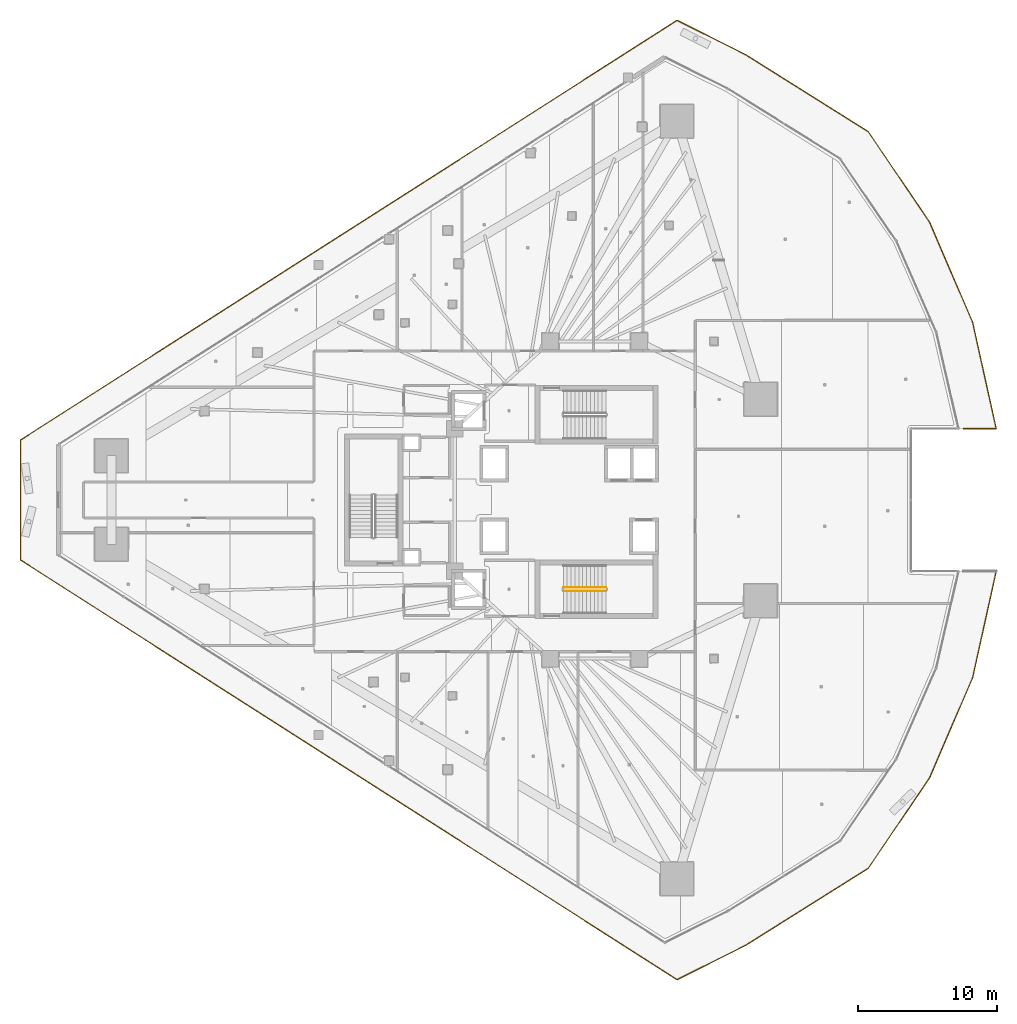
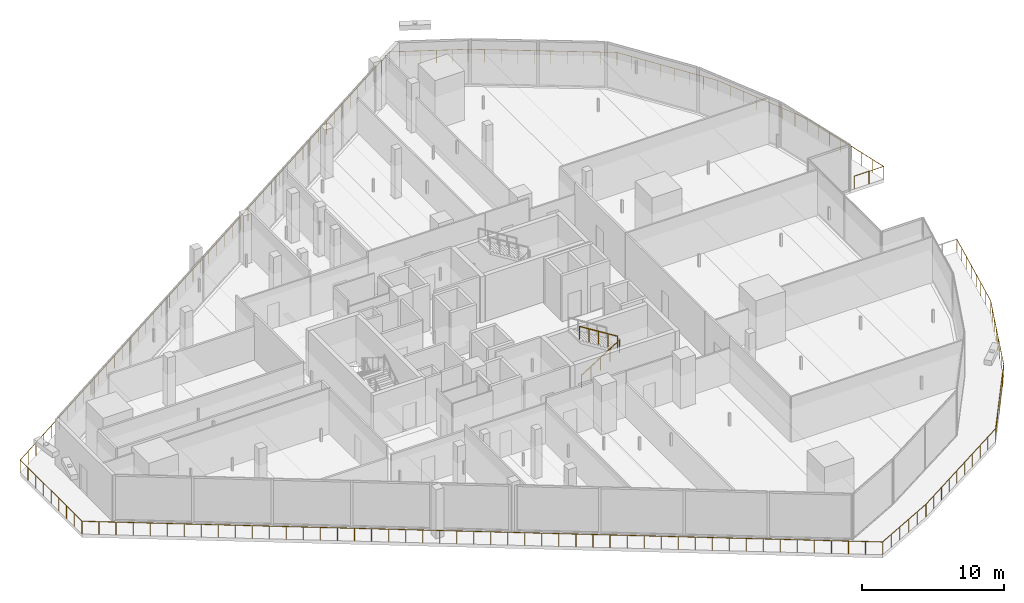
# One storey, part 42 of 46: 3 railings.
"""IFC4 building model written with IfcOpenShell, lengths in metres."""

from ifc_helpers import new_model, si_unit, direction, frame, origin, origin_2d, place, context, subcontext, project, spatial, circle, extrude, material, type_object, element, save


model = new_model("IFC4")

# Units and contexts
model_context = context("Model", 3, precision=1e-05, world=origin(), true_north=direction((0.0, 1.0)))
body_context = subcontext(model_context, "Body", "Model", "MODEL_VIEW")
ifc_project = project(units=[si_unit("LENGTHUNIT", "METRE"), si_unit("AREAUNIT", "SQUARE_METRE"), si_unit("VOLUMEUNIT", "CUBIC_METRE"), si_unit("PLANEANGLEUNIT", "RADIAN"), si_unit("MASSUNIT", "GRAM", prefix="KILO")], contexts=[model_context])

# Site, building, storey
site_placement = place(None, origin())
site = spatial("IfcSite", under=ifc_project, at=site_placement, CompositionType="ELEMENT")
building_placement = place(site_placement, origin())
building = spatial("IfcBuilding", under=site, at=building_placement, Name="Qorvath Tower", CompositionType="ELEMENT")
storey_placement = place(building_placement, frame((0.0, 0.0, 87.0)))
storey = spatial("IfcBuildingStorey", under=building, at=storey_placement, Name="L19", CompositionType="ELEMENT", Elevation=87.0)

# Railings
ifc_material_1 = material(Name="Laminated safety glass and stainless steel AISI 316", Category="steel")
railing_type_1 = type_object("IfcRailingType", Name="RL-EXT-GRD", PredefinedType="GUARDRAIL", material=ifc_material_1)
railing_1_placement = place(storey_placement, frame((8.577392578125, -5.140869140625, 0.0)))
element("IfcRailing", 1, at=railing_1_placement, inside=storey, type_object=railing_type_1, Name="Loggia Perimeter Guardrail L19-1.1", PredefinedType="GUARDRAIL", context=body_context, shape_type="SweptSolid", body=[
    extrude(circle(Radius=0.02392578125, at=origin_2d()), frame((0.0, 0.0, 1.09619140625), z_axis=(-0.216102863676, -0.976370601929, 0.0), x_axis=(0.976370601929, -0.216102863676, 0.0)), (0.0, 0.0, 1.0), 7.8720703125),
    extrude(circle(Radius=0.02392578125, at=origin_2d()), frame((-1.701171875, -7.68603515625, 1.09619140625), z_axis=(-0.395475792028, -0.918476400306, 0.0), x_axis=(0.918476400306, -0.395475792028, 0.0)), (0.0, 0.0, 1.0), 7.872314453125),
    extrude(circle(Radius=0.02392578125, at=origin_2d()), frame((-4.814453125, -14.91650390625, 1.09619140625), z_axis=(-0.560825516193, -0.827934019344, 0.0), x_axis=(0.827934019344, -0.560825516193, 0.0)), (0.0, 0.0, 1.0), 7.872314453125),
    extrude(circle(Radius=0.02392578125, at=origin_2d()), frame((-9.2294921875, -21.434326171875, 1.09619140625), z_axis=(-0.846502624732, -0.532384547411, 0.0), x_axis=(0.532384547411, -0.846502624732, 0.0)), (0.0, 0.0, 1.0), 10.468505859375),
    extrude(circle(Radius=0.02392578125, at=origin_2d()), frame((-18.091064453125, -27.007568359375, 1.09619140625), z_axis=(-0.894427191, -0.4472135955, 0.0), x_axis=(0.4472135955, -0.894427191, 0.0)), (0.0, 0.0, 1.0), 5.529541015625),
    extrude(circle(Radius=0.02392578125, at=origin_2d()), frame((-23.036865234375, -29.48046875, 1.09619140625), z_axis=(-0.84260457515, 0.538532756605, 0.0), x_axis=(-0.538532756605, -0.84260457515, 0.0)), (0.0, 0.0, 1.0), 56.252197265625),
    extrude(circle(Radius=0.02392578125, at=origin_2d()), frame((-70.435302734375, 0.813232421875, 1.09619140625), z_axis=(0.0, 1.0, 0.0), x_axis=(-1.0, 0.0, 0.0)), (0.0, 0.0, 1.0), 8.6552734375),
    extrude(circle(Radius=0.02392578125, at=origin_2d()), frame((-70.435302734375, 9.468505859375, 1.09619140625), z_axis=(0.84260457515, 0.538532756605, 0.0), x_axis=(-0.538532756605, 0.84260457515, 0.0)), (0.0, 0.0, 1.0), 56.252197265625),
    extrude(circle(Radius=0.02392578125, at=origin_2d()), frame((-23.036865234375, 39.76220703125, 1.09619140625), z_axis=(0.894427191, -0.4472135955, 0.0), x_axis=(0.4472135955, 0.894427191, 0.0)), (0.0, 0.0, 1.0), 5.529541015625),
    extrude(circle(Radius=0.02392578125, at=origin_2d()), frame((-18.091064453125, 37.289306640625, 1.09619140625), z_axis=(0.846502624732, -0.532384547411, 0.0), x_axis=(0.532384547411, 0.846502624732, 0.0)), (0.0, 0.0, 1.0), 10.468505859375),
    extrude(circle(Radius=0.02392578125, at=origin_2d()), frame((-9.2294921875, 31.716064453125, 1.09619140625), z_axis=(0.560825516193, -0.827934019344, 0.0), x_axis=(0.827934019344, 0.560825516193, 0.0)), (0.0, 0.0, 1.0), 7.872314453125),
    extrude(circle(Radius=0.02392578125, at=origin_2d()), frame((-4.814453125, 25.1982421875, 1.09619140625), z_axis=(0.395475792028, -0.918476400306, 0.0), x_axis=(0.918476400306, 0.395475792028, 0.0)), (0.0, 0.0, 1.0), 7.872314453125),
    extrude(circle(Radius=0.02392578125, at=origin_2d()), frame((-1.701171875, 17.9677734375, 1.09619140625), z_axis=(0.216102863676, -0.976370601929, 0.0), x_axis=(0.976370601929, 0.216102863676, 0.0)), (0.0, 0.0, 1.0), 7.8720703125),
    extrude(circle(Radius=0.02392578125, at=origin_2d()), frame((0.0, 10.28173828125, 1.09619140625), z_axis=(-1.0, 0.0, 0.0), x_axis=(0.0, -1.0, 0.0)), (0.0, 0.0, 1.0), 2.366455078125),
    extrude(circle(Radius=0.02099609375, at=origin_2d()), origin(), (0.0, 0.0, 1.0), 1.072021484375),
    extrude(circle(Radius=0.02099609375, at=origin_2d()), frame((-0.242919921875, -1.097900390625, 0.0)), (0.0, 0.0, 1.0), 1.072021484375),
    extrude(circle(Radius=0.02099609375, at=origin_2d()), frame((-0.486083984375, -2.196044921875, 0.0)), (0.0, 0.0, 1.0), 1.072021484375),
    extrude(circle(Radius=0.02099609375, at=origin_2d()), frame((-0.72900390625, -3.2939453125, 0.0)), (0.0, 0.0, 1.0), 1.072021484375),
    extrude(circle(Radius=0.02099609375, at=origin_2d()), frame((-0.97216796875, -4.39208984375, 0.0)), (0.0, 0.0, 1.0), 1.072021484375),
    extrude(circle(Radius=0.02099609375, at=origin_2d()), frame((-1.215087890625, -5.489990234375, 0.0)), (0.0, 0.0, 1.0), 1.072021484375),
    extrude(circle(Radius=0.02099609375, at=origin_2d()), frame((-1.458251953125, -6.588134765625, 0.0)), (0.0, 0.0, 1.0), 1.072021484375),
    extrude(circle(Radius=0.02099609375, at=origin_2d()), frame((-1.701171875, -7.68603515625, 0.0)), (0.0, 0.0, 1.0), 1.072021484375),
    extrude(circle(Radius=0.02099609375, at=origin_2d()), frame((-2.14599609375, -8.718994140625, 0.0)), (0.0, 0.0, 1.0), 1.072021484375),
    extrude(circle(Radius=0.02099609375, at=origin_2d()), frame((-2.590576171875, -9.751953125, 0.0)), (0.0, 0.0, 1.0), 1.072021484375),
    extrude(circle(Radius=0.02099609375, at=origin_2d()), frame((-3.035400390625, -10.784912109375, 0.0)), (0.0, 0.0, 1.0), 1.072021484375),
    extrude(circle(Radius=0.02099609375, at=origin_2d()), frame((-3.480224609375, -11.817626953125, 0.0)), (0.0, 0.0, 1.0), 1.072021484375),
    extrude(circle(Radius=0.02099609375, at=origin_2d()), frame((-3.925048828125, -12.8505859375, 0.0)), (0.0, 0.0, 1.0), 1.072021484375),
    extrude(circle(Radius=0.02099609375, at=origin_2d()), frame((-4.36962890625, -13.883544921875, 0.0)), (0.0, 0.0, 1.0), 1.072021484375),
    extrude(circle(Radius=0.02099609375, at=origin_2d()), frame((-4.814453125, -14.91650390625, 0.0)), (0.0, 0.0, 1.0), 1.072021484375),
    extrude(circle(Radius=0.02099609375, at=origin_2d()), frame((-5.445068359375, -15.84765625, 0.0)), (0.0, 0.0, 1.0), 1.072021484375),
    extrude(circle(Radius=0.02099609375, at=origin_2d()), frame((-6.075927734375, -16.77880859375, 0.0)), (0.0, 0.0, 1.0), 1.072021484375),
    extrude(circle(Radius=0.02099609375, at=origin_2d()), frame((-6.70654296875, -17.7099609375, 0.0)), (0.0, 0.0, 1.0), 1.072021484375),
    extrude(circle(Radius=0.02099609375, at=origin_2d()), frame((-7.33740234375, -18.640869140625, 0.0)), (0.0, 0.0, 1.0), 1.072021484375),
    extrude(circle(Radius=0.02099609375, at=origin_2d()), frame((-7.968017578125, -19.572021484375, 0.0)), (0.0, 0.0, 1.0), 1.072021484375),
    extrude(circle(Radius=0.02099609375, at=origin_2d()), frame((-8.598876953125, -20.503173828125, 0.0)), (0.0, 0.0, 1.0), 1.072021484375),
    extrude(circle(Radius=0.02099609375, at=origin_2d()), frame((-9.2294921875, -21.434326171875, 0.0)), (0.0, 0.0, 1.0), 1.072021484375),
    extrude(circle(Radius=0.02099609375, at=origin_2d()), frame((-10.214111328125, -22.053466796875, 0.0)), (0.0, 0.0, 1.0), 1.072021484375),
    extrude(circle(Radius=0.02099609375, at=origin_2d()), frame((-11.19873046875, -22.6728515625, 0.0)), (0.0, 0.0, 1.0), 1.072021484375),
    extrude(circle(Radius=0.02099609375, at=origin_2d()), frame((-12.183349609375, -23.2919921875, 0.0)), (0.0, 0.0, 1.0), 1.072021484375),
    extrude(circle(Radius=0.02099609375, at=origin_2d()), frame((-13.16796875, -23.911376953125, 0.0)), (0.0, 0.0, 1.0), 1.072021484375),
    extrude(circle(Radius=0.02099609375, at=origin_2d()), frame((-14.152587890625, -24.530517578125, 0.0)), (0.0, 0.0, 1.0), 1.072021484375),
    extrude(circle(Radius=0.02099609375, at=origin_2d()), frame((-15.13720703125, -25.14990234375, 0.0)), (0.0, 0.0, 1.0), 1.072021484375),
    extrude(circle(Radius=0.02099609375, at=origin_2d()), frame((-16.121826171875, -25.76904296875, 0.0)), (0.0, 0.0, 1.0), 1.072021484375),
    extrude(circle(Radius=0.02099609375, at=origin_2d()), frame((-17.1064453125, -26.388427734375, 0.0)), (0.0, 0.0, 1.0), 1.072021484375),
    extrude(circle(Radius=0.02099609375, at=origin_2d()), frame((-18.091064453125, -27.007568359375, 0.0)), (0.0, 0.0, 1.0), 1.072021484375),
    extrude(circle(Radius=0.02099609375, at=origin_2d()), frame((-19.080322265625, -27.502197265625, 0.0)), (0.0, 0.0, 1.0), 1.072021484375),
    extrude(circle(Radius=0.02099609375, at=origin_2d()), frame((-20.0693359375, -27.996826171875, 0.0)), (0.0, 0.0, 1.0), 1.072021484375),
    extrude(circle(Radius=0.02099609375, at=origin_2d()), frame((-21.05859375, -28.4912109375, 0.0)), (0.0, 0.0, 1.0), 1.072021484375),
    extrude(circle(Radius=0.02099609375, at=origin_2d()), frame((-22.047607421875, -28.98583984375, 0.0)), (0.0, 0.0, 1.0), 1.072021484375),
    extrude(circle(Radius=0.02099609375, at=origin_2d()), frame((-23.036865234375, -29.48046875, 0.0)), (0.0, 0.0, 1.0), 1.072021484375),
    extrude(circle(Radius=0.02099609375, at=origin_2d()), frame((-24.04541015625, -28.8359375, 0.0)), (0.0, 0.0, 1.0), 1.072021484375),
    extrude(circle(Radius=0.02099609375, at=origin_2d()), frame((-25.0537109375, -28.19140625, 0.0)), (0.0, 0.0, 1.0), 1.072021484375),
    extrude(circle(Radius=0.02099609375, at=origin_2d()), frame((-26.062255859375, -27.546875, 0.0)), (0.0, 0.0, 1.0), 1.072021484375),
    extrude(circle(Radius=0.02099609375, at=origin_2d()), frame((-27.07080078125, -26.90234375, 0.0)), (0.0, 0.0, 1.0), 1.072021484375),
    extrude(circle(Radius=0.02099609375, at=origin_2d()), frame((-28.079345703125, -26.2578125, 0.0)), (0.0, 0.0, 1.0), 1.072021484375),
    extrude(circle(Radius=0.02099609375, at=origin_2d()), frame((-29.087646484375, -25.61328125, 0.0)), (0.0, 0.0, 1.0), 1.072021484375),
    extrude(circle(Radius=0.02099609375, at=origin_2d()), frame((-30.09619140625, -24.96875, 0.0)), (0.0, 0.0, 1.0), 1.072021484375),
    extrude(circle(Radius=0.02099609375, at=origin_2d()), frame((-31.104736328125, -24.323974609375, 0.0)), (0.0, 0.0, 1.0), 1.072021484375),
    extrude(circle(Radius=0.02099609375, at=origin_2d()), frame((-32.11328125, -23.679443359375, 0.0)), (0.0, 0.0, 1.0), 1.072021484375),
    extrude(circle(Radius=0.02099609375, at=origin_2d()), frame((-33.12158203125, -23.034912109375, 0.0)), (0.0, 0.0, 1.0), 1.072021484375),
    extrude(circle(Radius=0.02099609375, at=origin_2d()), frame((-34.130126953125, -22.390380859375, 0.0)), (0.0, 0.0, 1.0), 1.072021484375),
    extrude(circle(Radius=0.02099609375, at=origin_2d()), frame((-35.138671875, -21.745849609375, 0.0)), (0.0, 0.0, 1.0), 1.072021484375),
    extrude(circle(Radius=0.02099609375, at=origin_2d()), frame((-36.14697265625, -21.101318359375, 0.0)), (0.0, 0.0, 1.0), 1.072021484375),
    extrude(circle(Radius=0.02099609375, at=origin_2d()), frame((-37.155517578125, -20.456787109375, 0.0)), (0.0, 0.0, 1.0), 1.072021484375),
    extrude(circle(Radius=0.02099609375, at=origin_2d()), frame((-38.1640625, -19.812255859375, 0.0)), (0.0, 0.0, 1.0), 1.072021484375),
    extrude(circle(Radius=0.02099609375, at=origin_2d()), frame((-39.172607421875, -19.167724609375, 0.0)), (0.0, 0.0, 1.0), 1.072021484375),
    extrude(circle(Radius=0.02099609375, at=origin_2d()), frame((-40.180908203125, -18.523193359375, 0.0)), (0.0, 0.0, 1.0), 1.072021484375),
    extrude(circle(Radius=0.02099609375, at=origin_2d()), frame((-41.189453125, -17.878662109375, 0.0)), (0.0, 0.0, 1.0), 1.072021484375),
    extrude(circle(Radius=0.02099609375, at=origin_2d()), frame((-42.197998046875, -17.234130859375, 0.0)), (0.0, 0.0, 1.0), 1.072021484375),
    extrude(circle(Radius=0.02099609375, at=origin_2d()), frame((-43.206298828125, -16.589599609375, 0.0)), (0.0, 0.0, 1.0), 1.072021484375),
    extrude(circle(Radius=0.02099609375, at=origin_2d()), frame((-44.21484375, -15.945068359375, 0.0)), (0.0, 0.0, 1.0), 1.072021484375),
    extrude(circle(Radius=0.02099609375, at=origin_2d()), frame((-45.223388671875, -15.300537109375, 0.0)), (0.0, 0.0, 1.0), 1.072021484375),
    extrude(circle(Radius=0.02099609375, at=origin_2d()), frame((-46.23193359375, -14.656005859375, 0.0)), (0.0, 0.0, 1.0), 1.072021484375),
    extrude(circle(Radius=0.02099609375, at=origin_2d()), frame((-47.240234375, -14.01123046875, 0.0)), (0.0, 0.0, 1.0), 1.072021484375),
    extrude(circle(Radius=0.02099609375, at=origin_2d()), frame((-48.248779296875, -13.36669921875, 0.0)), (0.0, 0.0, 1.0), 1.072021484375),
    extrude(circle(Radius=0.02099609375, at=origin_2d()), frame((-49.25732421875, -12.72216796875, 0.0)), (0.0, 0.0, 1.0), 1.072021484375),
    extrude(circle(Radius=0.02099609375, at=origin_2d()), frame((-50.265869140625, -12.07763671875, 0.0)), (0.0, 0.0, 1.0), 1.072021484375),
    extrude(circle(Radius=0.02099609375, at=origin_2d()), frame((-51.274169921875, -11.43310546875, 0.0)), (0.0, 0.0, 1.0), 1.072021484375),
    extrude(circle(Radius=0.02099609375, at=origin_2d()), frame((-52.28271484375, -10.78857421875, 0.0)), (0.0, 0.0, 1.0), 1.072021484375),
    extrude(circle(Radius=0.02099609375, at=origin_2d()), frame((-53.291259765625, -10.14404296875, 0.0)), (0.0, 0.0, 1.0), 1.072021484375),
    extrude(circle(Radius=0.02099609375, at=origin_2d()), frame((-54.299560546875, -9.49951171875, 0.0)), (0.0, 0.0, 1.0), 1.072021484375),
    extrude(circle(Radius=0.02099609375, at=origin_2d()), frame((-55.30810546875, -8.85498046875, 0.0)), (0.0, 0.0, 1.0), 1.072021484375),
    extrude(circle(Radius=0.02099609375, at=origin_2d()), frame((-56.316650390625, -8.21044921875, 0.0)), (0.0, 0.0, 1.0), 1.072021484375),
    extrude(circle(Radius=0.02099609375, at=origin_2d()), frame((-57.3251953125, -7.56591796875, 0.0)), (0.0, 0.0, 1.0), 1.072021484375),
    extrude(circle(Radius=0.02099609375, at=origin_2d()), frame((-58.33349609375, -6.92138671875, 0.0)), (0.0, 0.0, 1.0), 1.072021484375),
    extrude(circle(Radius=0.02099609375, at=origin_2d()), frame((-59.342041015625, -6.27685546875, 0.0)), (0.0, 0.0, 1.0), 1.072021484375),
    extrude(circle(Radius=0.02099609375, at=origin_2d()), frame((-60.3505859375, -5.63232421875, 0.0)), (0.0, 0.0, 1.0), 1.072021484375),
    extrude(circle(Radius=0.02099609375, at=origin_2d()), frame((-61.35888671875, -4.98779296875, 0.0)), (0.0, 0.0, 1.0), 1.072021484375),
    extrude(circle(Radius=0.02099609375, at=origin_2d()), frame((-62.367431640625, -4.34326171875, 0.0)), (0.0, 0.0, 1.0), 1.072021484375),
    extrude(circle(Radius=0.02099609375, at=origin_2d()), frame((-63.3759765625, -3.698486328125, 0.0)), (0.0, 0.0, 1.0), 1.072021484375),
    extrude(circle(Radius=0.02099609375, at=origin_2d()), frame((-64.384521484375, -3.053955078125, 0.0)), (0.0, 0.0, 1.0), 1.072021484375),
    extrude(circle(Radius=0.02099609375, at=origin_2d()), frame((-65.392822265625, -2.409423828125, 0.0)), (0.0, 0.0, 1.0), 1.072021484375),
    extrude(circle(Radius=0.02099609375, at=origin_2d()), frame((-66.4013671875, -1.764892578125, 0.0)), (0.0, 0.0, 1.0), 1.072021484375),
    extrude(circle(Radius=0.02099609375, at=origin_2d()), frame((-67.409912109375, -1.120361328125, 0.0)), (0.0, 0.0, 1.0), 1.072021484375),
    extrude(circle(Radius=0.02099609375, at=origin_2d()), frame((-68.41845703125, -0.475830078125, 0.0)), (0.0, 0.0, 1.0), 1.072021484375),
    extrude(circle(Radius=0.02099609375, at=origin_2d()), frame((-69.4267578125, 0.168701171875, 0.0)), (0.0, 0.0, 1.0), 1.072021484375),
    extrude(circle(Radius=0.02099609375, at=origin_2d()), frame((-70.435302734375, 0.813232421875, 0.0)), (0.0, 0.0, 1.0), 1.072021484375),
    extrude(circle(Radius=0.02099609375, at=origin_2d()), frame((-70.435302734375, 1.89501953125, 0.0)), (0.0, 0.0, 1.0), 1.072021484375),
    extrude(circle(Radius=0.02099609375, at=origin_2d()), frame((-70.435302734375, 2.97705078125, 0.0)), (0.0, 0.0, 1.0), 1.072021484375),
    extrude(circle(Radius=0.02099609375, at=origin_2d()), frame((-70.435302734375, 4.05908203125, 0.0)), (0.0, 0.0, 1.0), 1.072021484375),
    extrude(circle(Radius=0.02099609375, at=origin_2d()), frame((-70.435302734375, 5.140869140625, 0.0)), (0.0, 0.0, 1.0), 1.072021484375),
    extrude(circle(Radius=0.02099609375, at=origin_2d()), frame((-70.435302734375, 6.22265625, 0.0)), (0.0, 0.0, 1.0), 1.072021484375),
    extrude(circle(Radius=0.02099609375, at=origin_2d()), frame((-70.435302734375, 7.3046875, 0.0)), (0.0, 0.0, 1.0), 1.072021484375),
    extrude(circle(Radius=0.02099609375, at=origin_2d()), frame((-70.435302734375, 8.38671875, 0.0)), (0.0, 0.0, 1.0), 1.072021484375),
    extrude(circle(Radius=0.02099609375, at=origin_2d()), frame((-70.435302734375, 9.468505859375, 0.0)), (0.0, 0.0, 1.0), 1.072021484375),
    extrude(circle(Radius=0.02099609375, at=origin_2d()), frame((-69.4267578125, 10.113037109375, 0.0)), (0.0, 0.0, 1.0), 1.072021484375),
    extrude(circle(Radius=0.02099609375, at=origin_2d()), frame((-68.41845703125, 10.757568359375, 0.0)), (0.0, 0.0, 1.0), 1.072021484375),
    extrude(circle(Radius=0.02099609375, at=origin_2d()), frame((-67.409912109375, 11.402099609375, 0.0)), (0.0, 0.0, 1.0), 1.072021484375),
    extrude(circle(Radius=0.02099609375, at=origin_2d()), frame((-66.4013671875, 12.046630859375, 0.0)), (0.0, 0.0, 1.0), 1.072021484375),
    extrude(circle(Radius=0.02099609375, at=origin_2d()), frame((-65.392822265625, 12.691162109375, 0.0)), (0.0, 0.0, 1.0), 1.072021484375),
    extrude(circle(Radius=0.02099609375, at=origin_2d()), frame((-64.384521484375, 13.335693359375, 0.0)), (0.0, 0.0, 1.0), 1.072021484375),
    extrude(circle(Radius=0.02099609375, at=origin_2d()), frame((-63.3759765625, 13.980224609375, 0.0)), (0.0, 0.0, 1.0), 1.072021484375),
    extrude(circle(Radius=0.02099609375, at=origin_2d()), frame((-62.367431640625, 14.625, 0.0)), (0.0, 0.0, 1.0), 1.072021484375),
    extrude(circle(Radius=0.02099609375, at=origin_2d()), frame((-61.35888671875, 15.26953125, 0.0)), (0.0, 0.0, 1.0), 1.072021484375),
    extrude(circle(Radius=0.02099609375, at=origin_2d()), frame((-60.3505859375, 15.9140625, 0.0)), (0.0, 0.0, 1.0), 1.072021484375),
    extrude(circle(Radius=0.02099609375, at=origin_2d()), frame((-59.342041015625, 16.55859375, 0.0)), (0.0, 0.0, 1.0), 1.072021484375),
    extrude(circle(Radius=0.02099609375, at=origin_2d()), frame((-58.33349609375, 17.203125, 0.0)), (0.0, 0.0, 1.0), 1.072021484375),
    extrude(circle(Radius=0.02099609375, at=origin_2d()), frame((-57.3251953125, 17.84765625, 0.0)), (0.0, 0.0, 1.0), 1.072021484375),
    extrude(circle(Radius=0.02099609375, at=origin_2d()), frame((-56.316650390625, 18.4921875, 0.0)), (0.0, 0.0, 1.0), 1.072021484375),
    extrude(circle(Radius=0.02099609375, at=origin_2d()), frame((-55.30810546875, 19.13671875, 0.0)), (0.0, 0.0, 1.0), 1.072021484375),
    extrude(circle(Radius=0.02099609375, at=origin_2d()), frame((-54.299560546875, 19.78125, 0.0)), (0.0, 0.0, 1.0), 1.072021484375),
    extrude(circle(Radius=0.02099609375, at=origin_2d()), frame((-53.291259765625, 20.42578125, 0.0)), (0.0, 0.0, 1.0), 1.072021484375),
    extrude(circle(Radius=0.02099609375, at=origin_2d()), frame((-52.28271484375, 21.0703125, 0.0)), (0.0, 0.0, 1.0), 1.072021484375),
    extrude(circle(Radius=0.02099609375, at=origin_2d()), frame((-51.274169921875, 21.71484375, 0.0)), (0.0, 0.0, 1.0), 1.072021484375),
    extrude(circle(Radius=0.02099609375, at=origin_2d()), frame((-50.265869140625, 22.359375, 0.0)), (0.0, 0.0, 1.0), 1.072021484375),
    extrude(circle(Radius=0.02099609375, at=origin_2d()), frame((-49.25732421875, 23.00390625, 0.0)), (0.0, 0.0, 1.0), 1.072021484375),
    extrude(circle(Radius=0.02099609375, at=origin_2d()), frame((-48.248779296875, 23.6484375, 0.0)), (0.0, 0.0, 1.0), 1.072021484375),
    extrude(circle(Radius=0.02099609375, at=origin_2d()), frame((-47.240234375, 24.29296875, 0.0)), (0.0, 0.0, 1.0), 1.072021484375),
    extrude(circle(Radius=0.02099609375, at=origin_2d()), frame((-46.23193359375, 24.937744140625, 0.0)), (0.0, 0.0, 1.0), 1.072021484375),
    extrude(circle(Radius=0.02099609375, at=origin_2d()), frame((-45.223388671875, 25.582275390625, 0.0)), (0.0, 0.0, 1.0), 1.072021484375),
    extrude(circle(Radius=0.02099609375, at=origin_2d()), frame((-44.21484375, 26.226806640625, 0.0)), (0.0, 0.0, 1.0), 1.072021484375),
    extrude(circle(Radius=0.02099609375, at=origin_2d()), frame((-43.206298828125, 26.871337890625, 0.0)), (0.0, 0.0, 1.0), 1.072021484375),
    extrude(circle(Radius=0.02099609375, at=origin_2d()), frame((-42.197998046875, 27.515869140625, 0.0)), (0.0, 0.0, 1.0), 1.072021484375),
    extrude(circle(Radius=0.02099609375, at=origin_2d()), frame((-41.189453125, 28.160400390625, 0.0)), (0.0, 0.0, 1.0), 1.072021484375),
    extrude(circle(Radius=0.02099609375, at=origin_2d()), frame((-40.180908203125, 28.804931640625, 0.0)), (0.0, 0.0, 1.0), 1.072021484375),
    extrude(circle(Radius=0.02099609375, at=origin_2d()), frame((-39.172607421875, 29.449462890625, 0.0)), (0.0, 0.0, 1.0), 1.072021484375),
    extrude(circle(Radius=0.02099609375, at=origin_2d()), frame((-38.1640625, 30.093994140625, 0.0)), (0.0, 0.0, 1.0), 1.072021484375),
    extrude(circle(Radius=0.02099609375, at=origin_2d()), frame((-37.155517578125, 30.738525390625, 0.0)), (0.0, 0.0, 1.0), 1.072021484375),
    extrude(circle(Radius=0.02099609375, at=origin_2d()), frame((-36.14697265625, 31.383056640625, 0.0)), (0.0, 0.0, 1.0), 1.072021484375),
    extrude(circle(Radius=0.02099609375, at=origin_2d()), frame((-35.138671875, 32.027587890625, 0.0)), (0.0, 0.0, 1.0), 1.072021484375),
    extrude(circle(Radius=0.02099609375, at=origin_2d()), frame((-34.130126953125, 32.672119140625, 0.0)), (0.0, 0.0, 1.0), 1.072021484375),
    extrude(circle(Radius=0.02099609375, at=origin_2d()), frame((-33.12158203125, 33.316650390625, 0.0)), (0.0, 0.0, 1.0), 1.072021484375),
    extrude(circle(Radius=0.02099609375, at=origin_2d()), frame((-32.11328125, 33.961181640625, 0.0)), (0.0, 0.0, 1.0), 1.072021484375),
    extrude(circle(Radius=0.02099609375, at=origin_2d()), frame((-31.104736328125, 34.605712890625, 0.0)), (0.0, 0.0, 1.0), 1.072021484375),
    extrude(circle(Radius=0.02099609375, at=origin_2d()), frame((-30.09619140625, 35.25048828125, 0.0)), (0.0, 0.0, 1.0), 1.072021484375),
    extrude(circle(Radius=0.02099609375, at=origin_2d()), frame((-29.087646484375, 35.89501953125, 0.0)), (0.0, 0.0, 1.0), 1.072021484375),
    extrude(circle(Radius=0.02099609375, at=origin_2d()), frame((-28.079345703125, 36.53955078125, 0.0)), (0.0, 0.0, 1.0), 1.072021484375),
    extrude(circle(Radius=0.02099609375, at=origin_2d()), frame((-27.07080078125, 37.18408203125, 0.0)), (0.0, 0.0, 1.0), 1.072021484375),
    extrude(circle(Radius=0.02099609375, at=origin_2d()), frame((-26.062255859375, 37.82861328125, 0.0)), (0.0, 0.0, 1.0), 1.072021484375),
    extrude(circle(Radius=0.02099609375, at=origin_2d()), frame((-25.0537109375, 38.47314453125, 0.0)), (0.0, 0.0, 1.0), 1.072021484375),
    extrude(circle(Radius=0.02099609375, at=origin_2d()), frame((-24.04541015625, 39.11767578125, 0.0)), (0.0, 0.0, 1.0), 1.072021484375),
    extrude(circle(Radius=0.02099609375, at=origin_2d()), frame((-23.036865234375, 39.76220703125, 0.0)), (0.0, 0.0, 1.0), 1.072021484375),
    extrude(circle(Radius=0.02099609375, at=origin_2d()), frame((-22.047607421875, 39.267578125, 0.0)), (0.0, 0.0, 1.0), 1.072021484375),
    extrude(circle(Radius=0.02099609375, at=origin_2d()), frame((-21.05859375, 38.77294921875, 0.0)), (0.0, 0.0, 1.0), 1.072021484375),
    extrude(circle(Radius=0.02099609375, at=origin_2d()), frame((-20.0693359375, 38.278564453125, 0.0)), (0.0, 0.0, 1.0), 1.072021484375),
    extrude(circle(Radius=0.02099609375, at=origin_2d()), frame((-19.080322265625, 37.783935546875, 0.0)), (0.0, 0.0, 1.0), 1.072021484375),
    extrude(circle(Radius=0.02099609375, at=origin_2d()), frame((-18.091064453125, 37.289306640625, 0.0)), (0.0, 0.0, 1.0), 1.072021484375),
    extrude(circle(Radius=0.02099609375, at=origin_2d()), frame((-17.1064453125, 36.670166015625, 0.0)), (0.0, 0.0, 1.0), 1.072021484375),
    extrude(circle(Radius=0.02099609375, at=origin_2d()), frame((-16.121826171875, 36.05078125, 0.0)), (0.0, 0.0, 1.0), 1.072021484375),
    extrude(circle(Radius=0.02099609375, at=origin_2d()), frame((-15.13720703125, 35.431640625, 0.0)), (0.0, 0.0, 1.0), 1.072021484375),
    extrude(circle(Radius=0.02099609375, at=origin_2d()), frame((-14.152587890625, 34.812255859375, 0.0)), (0.0, 0.0, 1.0), 1.072021484375),
    extrude(circle(Radius=0.02099609375, at=origin_2d()), frame((-13.16796875, 34.193115234375, 0.0)), (0.0, 0.0, 1.0), 1.072021484375),
    extrude(circle(Radius=0.02099609375, at=origin_2d()), frame((-12.183349609375, 33.57373046875, 0.0)), (0.0, 0.0, 1.0), 1.072021484375),
    extrude(circle(Radius=0.02099609375, at=origin_2d()), frame((-11.19873046875, 32.95458984375, 0.0)), (0.0, 0.0, 1.0), 1.072021484375),
    extrude(circle(Radius=0.02099609375, at=origin_2d()), frame((-10.214111328125, 32.335205078125, 0.0)), (0.0, 0.0, 1.0), 1.072021484375),
    extrude(circle(Radius=0.02099609375, at=origin_2d()), frame((-9.2294921875, 31.716064453125, 0.0)), (0.0, 0.0, 1.0), 1.072021484375),
    extrude(circle(Radius=0.02099609375, at=origin_2d()), frame((-8.598876953125, 30.784912109375, 0.0)), (0.0, 0.0, 1.0), 1.072021484375),
    extrude(circle(Radius=0.02099609375, at=origin_2d()), frame((-7.968017578125, 29.853759765625, 0.0)), (0.0, 0.0, 1.0), 1.072021484375),
    extrude(circle(Radius=0.02099609375, at=origin_2d()), frame((-7.33740234375, 28.922607421875, 0.0)), (0.0, 0.0, 1.0), 1.072021484375),
    extrude(circle(Radius=0.02099609375, at=origin_2d()), frame((-6.70654296875, 27.99169921875, 0.0)), (0.0, 0.0, 1.0), 1.072021484375),
    extrude(circle(Radius=0.02099609375, at=origin_2d()), frame((-6.075927734375, 27.060546875, 0.0)), (0.0, 0.0, 1.0), 1.072021484375),
    extrude(circle(Radius=0.02099609375, at=origin_2d()), frame((-5.445068359375, 26.12939453125, 0.0)), (0.0, 0.0, 1.0), 1.072021484375),
    extrude(circle(Radius=0.02099609375, at=origin_2d()), frame((-4.814453125, 25.1982421875, 0.0)), (0.0, 0.0, 1.0), 1.072021484375),
    extrude(circle(Radius=0.02099609375, at=origin_2d()), frame((-4.36962890625, 24.165283203125, 0.0)), (0.0, 0.0, 1.0), 1.072021484375),
    extrude(circle(Radius=0.02099609375, at=origin_2d()), frame((-3.925048828125, 23.13232421875, 0.0)), (0.0, 0.0, 1.0), 1.072021484375),
    extrude(circle(Radius=0.02099609375, at=origin_2d()), frame((-3.480224609375, 22.099365234375, 0.0)), (0.0, 0.0, 1.0), 1.072021484375),
    extrude(circle(Radius=0.02099609375, at=origin_2d()), frame((-3.035400390625, 21.066650390625, 0.0)), (0.0, 0.0, 1.0), 1.072021484375),
    extrude(circle(Radius=0.02099609375, at=origin_2d()), frame((-2.590576171875, 20.03369140625, 0.0)), (0.0, 0.0, 1.0), 1.072021484375),
    extrude(circle(Radius=0.02099609375, at=origin_2d()), frame((-2.14599609375, 19.000732421875, 0.0)), (0.0, 0.0, 1.0), 1.072021484375),
    extrude(circle(Radius=0.02099609375, at=origin_2d()), frame((-1.701171875, 17.9677734375, 0.0)), (0.0, 0.0, 1.0), 1.072021484375),
    extrude(circle(Radius=0.02099609375, at=origin_2d()), frame((-1.458251953125, 16.869873046875, 0.0)), (0.0, 0.0, 1.0), 1.072021484375),
    extrude(circle(Radius=0.02099609375, at=origin_2d()), frame((-1.215087890625, 15.771728515625, 0.0)), (0.0, 0.0, 1.0), 1.072021484375),
    extrude(circle(Radius=0.02099609375, at=origin_2d()), frame((-0.97216796875, 14.673828125, 0.0)), (0.0, 0.0, 1.0), 1.072021484375),
    extrude(circle(Radius=0.02099609375, at=origin_2d()), frame((-0.72900390625, 13.57568359375, 0.0)), (0.0, 0.0, 1.0), 1.072021484375),
    extrude(circle(Radius=0.02099609375, at=origin_2d()), frame((-0.486083984375, 12.477783203125, 0.0)), (0.0, 0.0, 1.0), 1.072021484375),
    extrude(circle(Radius=0.02099609375, at=origin_2d()), frame((-0.242919921875, 11.379638671875, 0.0)), (0.0, 0.0, 1.0), 1.072021484375),
    extrude(circle(Radius=0.02099609375, at=origin_2d()), frame((0.0, 10.28173828125, 0.0)), (0.0, 0.0, 1.0), 1.072021484375),
    extrude(circle(Radius=0.02099609375, at=origin_2d()), frame((-1.18310546875, 10.28173828125, 0.0)), (0.0, 0.0, 1.0), 1.072021484375),
    extrude(circle(Radius=0.02099609375, at=origin_2d()), frame((-2.366455078125, 10.28173828125, 0.0)), (0.0, 0.0, 1.0), 1.072021484375),
])
ifc_material_2 = material(Name="Painted galvanised steel", Category="steel")
railing_type_2 = type_object("IfcRailingType", Name="RL-STR-GRD", PredefinedType="GUARDRAIL", material=ifc_material_2)
railing_2_placement = place(storey_placement, frame((-22.669921875, -6.570068359375, 0.175048828125)))
element("IfcRailing", 2, at=railing_2_placement, inside=storey, type_object=railing_type_2, Name="L19 TS2 stair guard 1", PredefinedType="GUARDRAIL", context=body_context, shape_type="SweptSolid", body=[
    extrude(circle(Radius=0.02392578125, at=origin_2d()), frame((0.0, 0.0, 1.076171875), z_axis=(0.847979421464, 0.0, 0.530029150871), x_axis=(0.0, 1.0, 0.0)), (0.0, 0.0, 1.0), 3.632080078125),
    extrude(circle(Radius=0.02099609375, at=origin_2d()), origin(), (0.0, 0.0, 1.0), 1.052001953125),
    extrude(circle(Radius=0.02099609375, at=origin_2d()), frame((0.77001953125, 0.0, 0.481201171875)), (0.0, 0.0, 1.0), 1.052001953125),
    extrude(circle(Radius=0.02099609375, at=origin_2d()), frame((1.5400390625, 0.0, 0.96240234375)), (0.0, 0.0, 1.0), 1.052001953125),
    extrude(circle(Radius=0.02099609375, at=origin_2d()), frame((2.309814453125, 0.0, 1.44384765625)), (0.0, 0.0, 1.0), 1.052001953125),
    extrude(circle(Radius=0.02099609375, at=origin_2d()), frame((3.079833984375, 0.0, 1.925048828125)), (0.0, 0.0, 1.0), 1.052001953125),
])
railing_3_placement = place(storey_placement, frame((-19.590087890625, -6.320068359375, 2.27490234375)))
element("IfcRailing", 3, at=railing_3_placement, inside=storey, type_object=railing_type_2, Name="L19 TS2 stair guard 3", PredefinedType="GUARDRAIL", context=body_context, shape_type="SweptSolid", body=[
    extrude(circle(Radius=0.02392578125, at=origin_2d()), frame((0.0, 0.0, 1.076171875), z_axis=(-0.847979421464, 0.0, 0.530029150871), x_axis=(0.0, -1.0, 0.0)), (0.0, 0.0, 1.0), 3.632080078125),
    extrude(circle(Radius=0.02099609375, at=origin_2d()), origin(), (0.0, 0.0, 1.0), 1.052001953125),
    extrude(circle(Radius=0.02099609375, at=origin_2d()), frame((-0.77001953125, 0.0, 0.481201171875)), (0.0, 0.0, 1.0), 1.052001953125),
    extrude(circle(Radius=0.02099609375, at=origin_2d()), frame((-1.5400390625, 0.0, 0.96240234375)), (0.0, 0.0, 1.0), 1.052001953125),
    extrude(circle(Radius=0.02099609375, at=origin_2d()), frame((-2.309814453125, 0.0, 1.44384765625)), (0.0, 0.0, 1.0), 1.052001953125),
    extrude(circle(Radius=0.02099609375, at=origin_2d()), frame((-3.079833984375, 0.0, 1.925048828125)), (0.0, 0.0, 1.0), 1.052001953125),
])

save(model, "model.ifc")
